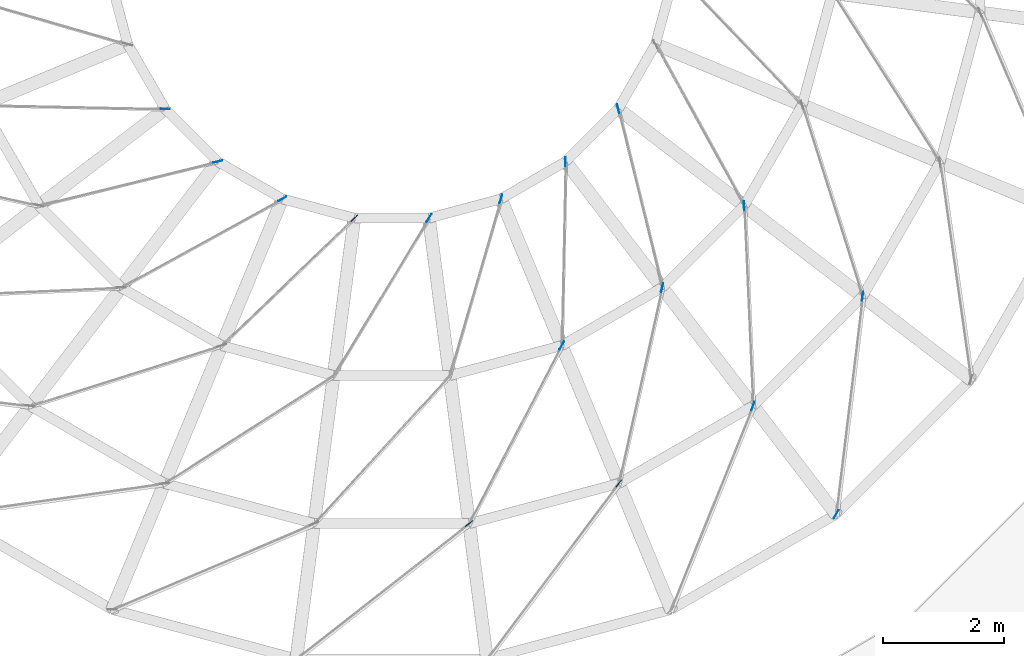
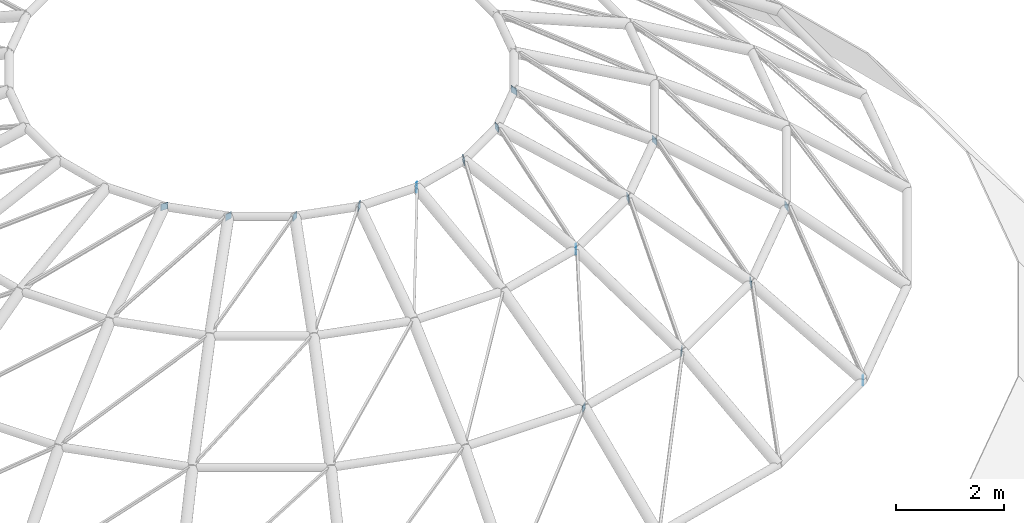
# One storey, part 19 of 33: 16 discrete accessories.
"""IFC4 building model written with IfcOpenShell, lengths in metres."""

from ifc_helpers import new_model, si_unit, direction, frame, origin, origin_2d, place, context, subcontext, project, spatial, rectangle, extrude, material, type_object, element, save


model = new_model("IFC4")

# Units and contexts
model_context = context("Model", 3, precision=1e-05, world=origin(), true_north=direction((0.0, 1.0)))
body_context = subcontext(model_context, "Body", "Model", "MODEL_VIEW")
ifc_project = project(units=[si_unit("LENGTHUNIT", "METRE"), si_unit("AREAUNIT", "SQUARE_METRE"), si_unit("VOLUMEUNIT", "CUBIC_METRE"), si_unit("PLANEANGLEUNIT", "RADIAN"), si_unit("MASSUNIT", "GRAM", prefix="KILO")], contexts=[model_context])

# Site, building, storey
site_placement = place(None, origin())
site = spatial("IfcSite", under=ifc_project, at=site_placement, CompositionType="ELEMENT")
building_placement = place(site_placement, origin())
building = spatial("IfcBuilding", under=site, at=building_placement, Name="Hortulan Conservatory and Botanical Research Centre", CompositionType="ELEMENT")
storey_placement = place(building_placement, frame((0.0, 0.0, 19.199951171875)))
storey = spatial("IfcBuildingStorey", under=building, at=storey_placement, Name="L04", CompositionType="ELEMENT", Elevation=19.199951171875)

# Discrete accessories
ifc_material = material(Name="Steel Grade 300 plate (AS/NZS 3678, 280 MPa minimum yield)", Category="steel")
discrete_accessory_type = type_object("IfcDiscreteAccessoryType", Name="End Plate 150x10", PredefinedType="BRACKET", material=ifc_material)
for number, where, z_axis, x_axis, name in (
    (1, (50.2451171875, 15.11865234375, 4.124755859375), (0.0, 0.0, 1.0), (0.999785770827, -0.020698126754, 0.0), "Dome rod end plate"),
    (2, (51.11865234375, 14.2451171875, 4.124755859375), (0.0, 0.0, 1.0), (0.971063462862, 0.238821588416, 0.0), "Dome rod end plate"),
    (3, (52.188720703125, 13.627197265625, 4.124755859375), (0.0, 0.0, 1.0), (0.876172114873, 0.481998366304, 0.0), "Dome rod end plate"),
    (4, (53.382080078125, 13.3076171875, 4.124755859375), (0.0, 0.0, 1.0), (0.721566917122, 0.692344700359, 0.0), "Dome rod end plate"),
    (5, (54.617919921875, 13.3076171875, 4.124755859375), (0.0, 0.0, 1.0), (0.517788126416, 0.855508887238, 0.0), "Dome rod end plate"),
    (6, (55.2841796875, 8.246337890625, 1.972900390625), (0.0, 0.0, 1.0), (0.787247231069, 0.616637492514, 0.0), "Dome rod end plate"),
    (7, (55.811279296875, 13.627197265625, 4.124755859375), (0.0, 0.0, 1.0), (0.278722930579, 0.960371557247, 0.0), "Dome rod end plate"),
    (8, (56.818115234375, 11.1962890625, 3.236083984375), (0.0, 0.0, 1.0), (0.461407991495, 0.887188066525, 0.0), "Dome rod end plate"),
    (9, (56.88134765625, 14.2451171875, 4.124755859375), (0.0, 0.0, 1.0), (0.020698126754, 0.999785770827, 0.0), "Dome rod end plate"),
    (10, (57.764892578125, 8.9111328125, 1.972900390625), (0.0, 0.0, 1.0), (0.600824905178, 0.799380656082, 0.0), "Dome rod end plate"),
    (11, (57.7548828125, 15.11865234375, 4.124755859375), (0.0, 0.0, 1.0), (0.238821588416, -0.971063462862, 0.0), "Dome rod end plate"),
    (12, (58.483154296875, 12.157470703125, 3.236083984375), (0.0, 0.0, 1.0), (0.216064727236, 0.976379041994, 0.0), "Dome rod end plate"),
    (13, (59.842529296875, 13.516845703125, 3.236083984375), (0.0, 0.0, 1.0), (0.044002991119, -0.999031399293, 0.0), "Dome rod end plate"),
    (14, (59.989013671875, 10.195068359375, 1.972900390625), (0.0, 0.0, 1.0), (0.373473545352, 0.927640830776, 0.0), "Dome rod end plate"),
    (15, (61.365966796875, 8.400390625, 0.361572265625), (0.0, 0.0, 1.0), (0.497958089691, 0.867201096005, 0.0), "Dome rod end plate"),
    (16, (61.804931640625, 12.010986328125, 1.972900390625), (0.0, 0.0, 1.0), (0.120673954637, 0.992692196339, 0.0), "Dome rod end plate"),
):
    element("IfcDiscreteAccessory", number, at=place(storey_placement, frame(where, z_axis=z_axis, x_axis=x_axis)), inside=storey, type_object=discrete_accessory_type, Name=name, PredefinedType="BRACKET", context=body_context, shape_type="SweptSolid", body=[
        extrude(rectangle(XDim=0.14990234375, YDim=0.010009765625, at=origin_2d()), origin(), (0.0, 0.0, 1.0), 0.14990234375),
    ])

save(model, "model.ifc")
